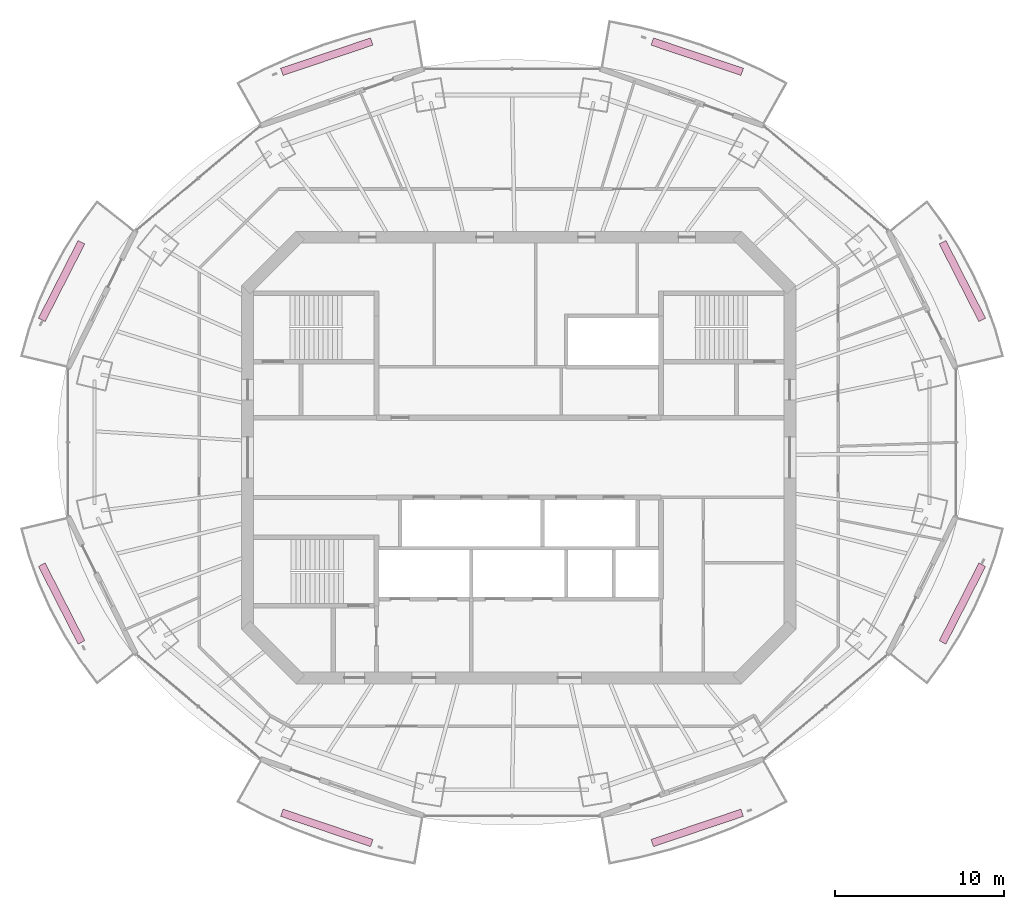
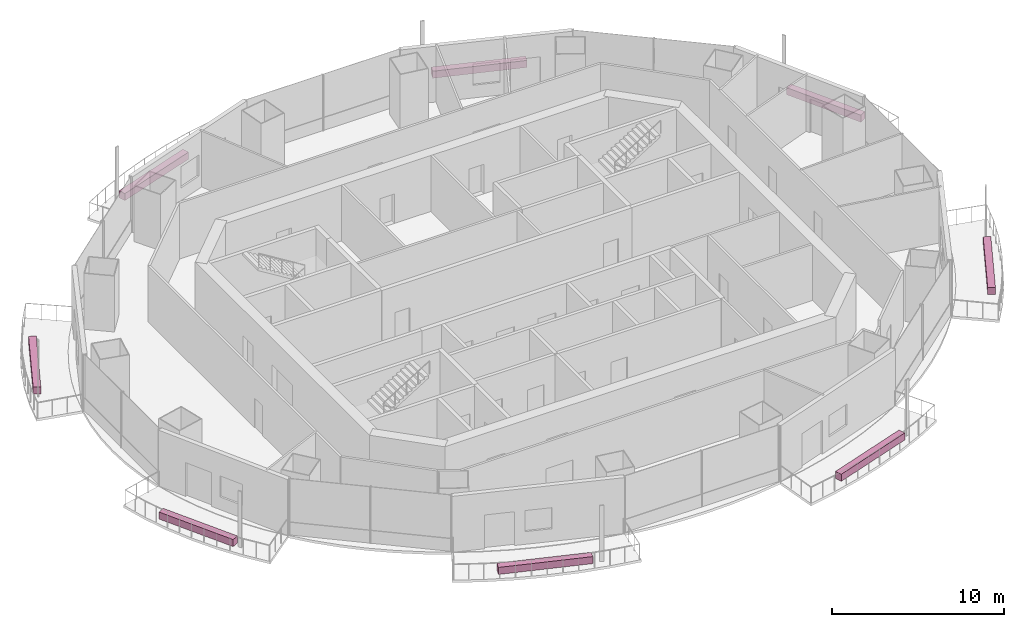
# One storey, part 16 of 16: 8 furnishings.
"""IFC4 building model written with IfcOpenShell, lengths in metres."""

from ifc_helpers import new_model, si_unit, direction, frame, origin, origin_2d, place, context, subcontext, project, spatial, rectangle, extrude, material, type_object, element, save


model = new_model("IFC4")

# Units and contexts
model_context = context("Model", 3, precision=1e-05, world=origin(), true_north=direction((0.0, 1.0)))
body_context = subcontext(model_context, "Body", "Model", "MODEL_VIEW")
ifc_project = project(units=[si_unit("LENGTHUNIT", "METRE"), si_unit("AREAUNIT", "SQUARE_METRE"), si_unit("VOLUMEUNIT", "CUBIC_METRE"), si_unit("PLANEANGLEUNIT", "RADIAN"), si_unit("MASSUNIT", "GRAM", prefix="KILO")], contexts=[model_context])

# Site, building, storey
site_placement = place(None, origin())
site = spatial("IfcSite", under=ifc_project, at=site_placement, CompositionType="ELEMENT")
building_placement = place(site_placement, origin())
building = spatial("IfcBuilding", under=site, at=building_placement, Name="Marenthal Gate Tower", CompositionType="ELEMENT")
storey_placement = place(building_placement, frame((0.0, 0.0, 350.89990234375)))
storey = spatial("IfcBuildingStorey", under=building, at=storey_placement, Name="L79", CompositionType="ELEMENT", Elevation=350.89990234375)

# Furnishings
ifc_material = material(Name="Planting soil and foliage", Category="planting")
furnishing_element_type = type_object("IfcFurnishingElementType", Name="Balcony PLANTER trough", material=ifc_material)
furnishing_1_placement = place(storey_placement, frame((26.180419921875, 10.416748046875, -0.039794921875), z_axis=(0.0, 0.0, 1.0), x_axis=(-0.45454605813, 0.890723234814, 0.0)))
element("IfcFurnishingElement", 1, at=furnishing_1_placement, inside=storey, type_object=furnishing_element_type, Name="Balcony PLANTER L79 bay 1", ObjectType="PLANTER", context=body_context, shape_type="SweptSolid", body=[
    extrude(rectangle(XDim=5.14794921875, YDim=0.449951171875, at=origin_2d()), origin(), (0.0, 0.0, 1.0), 0.5),
])
for number, where, z_axis, x_axis, name in (
    (2, (10.53125, 23.656982421875, -0.039794921875), (0.0, 0.0, 1.0), (-0.947495207309, 0.319769967518, 0.0), "Balcony PLANTER L79 bay 3"),
    (3, (-11.3310546875, 23.656982421875, -0.039794921875), (0.0, 0.0, 1.0), (-0.947495207309, -0.319769967518, 0.0), "Balcony PLANTER L79 bay 5"),
):
    element("IfcFurnishingElement", number, at=place(storey_placement, frame(where, z_axis=z_axis, x_axis=x_axis)), inside=storey, type_object=furnishing_element_type, Name=name, ObjectType="PLANTER", context=body_context, shape_type="SweptSolid", body=[
        extrude(rectangle(XDim=5.60400390625, YDim=0.449951171875, at=origin_2d()), origin(), (0.0, 0.0, 1.0), 0.5),
    ])
for number, where, z_axis, x_axis, name in (
    (4, (-26.98046875, 10.416748046875, -0.039794921875), (0.0, 0.0, 1.0), (-0.45454605813, -0.890723234814, 0.0), "Balcony PLANTER L79 bay 7"),
    (5, (-26.98046875, -8.616943359375, -0.039794921875), (0.0, 0.0, 1.0), (0.45454605813, -0.890723234814, 0.0), "Balcony PLANTER L79 bay 9"),
):
    element("IfcFurnishingElement", number, at=place(storey_placement, frame(where, z_axis=z_axis, x_axis=x_axis)), inside=storey, type_object=furnishing_element_type, Name=name, ObjectType="PLANTER", context=body_context, shape_type="SweptSolid", body=[
        extrude(rectangle(XDim=5.14794921875, YDim=0.449951171875, at=origin_2d()), origin(), (0.0, 0.0, 1.0), 0.5),
    ])
for number, where, z_axis, x_axis, name in (
    (6, (-11.3310546875, -21.85693359375, -0.039794921875), (0.0, 0.0, 1.0), (0.947495207309, -0.319769967518, 0.0), "Balcony PLANTER L79 bay 11"),
    (7, (10.53125, -21.85693359375, -0.039794921875), (0.0, 0.0, 1.0), (0.947495207309, 0.319769967518, 0.0), "Balcony PLANTER L79 bay 13"),
):
    element("IfcFurnishingElement", number, at=place(storey_placement, frame(where, z_axis=z_axis, x_axis=x_axis)), inside=storey, type_object=furnishing_element_type, Name=name, ObjectType="PLANTER", context=body_context, shape_type="SweptSolid", body=[
        extrude(rectangle(XDim=5.60400390625, YDim=0.449951171875, at=origin_2d()), origin(), (0.0, 0.0, 1.0), 0.5),
    ])
furnishing_2_placement = place(storey_placement, frame((26.180419921875, -8.616943359375, -0.039794921875), z_axis=(0.0, 0.0, 1.0), x_axis=(0.45454605813, 0.890723234814, 0.0)))
element("IfcFurnishingElement", 8, at=furnishing_2_placement, inside=storey, type_object=furnishing_element_type, Name="Balcony PLANTER L79 bay 15", ObjectType="PLANTER", context=body_context, shape_type="SweptSolid", body=[
    extrude(rectangle(XDim=5.14794921875, YDim=0.449951171875, at=origin_2d()), origin(), (0.0, 0.0, 1.0), 0.5),
])

save(model, "model.ifc")
